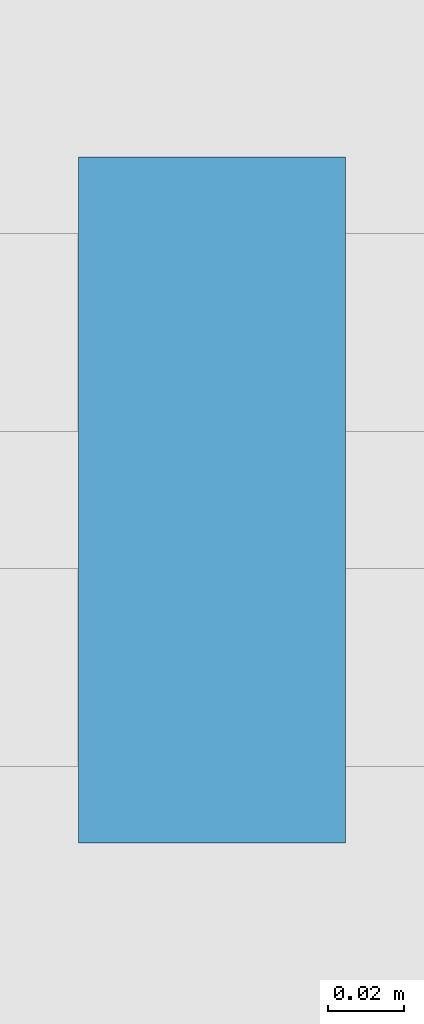
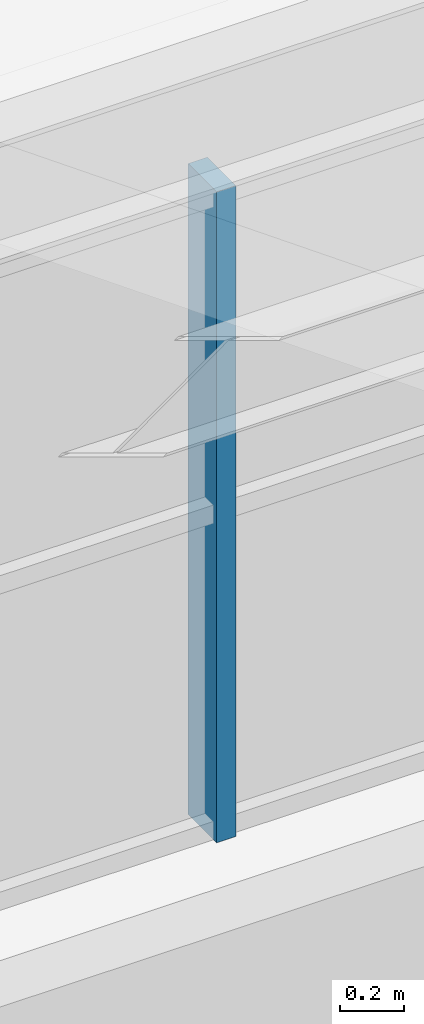
# One storey, part 52 of 92: 1 member, 1 element without a shape of its own.
"""IFC4 building model written with IfcOpenShell, lengths in metres."""

from ifc_helpers import new_model, si_unit, direction, frame, origin, origin_2d, place, context, subcontext, project, spatial, rectangle, extrude, material, material_profile, profile_set, type_object, element, aggregate, save


model = new_model("IFC4")

# Units and contexts
model_context = context("Model", 3, precision=1e-05, world=origin(), true_north=direction((0.0, 1.0)))
body_context = subcontext(model_context, "Body", "Model", "MODEL_VIEW")
ifc_project = project(units=[si_unit("LENGTHUNIT", "METRE"), si_unit("AREAUNIT", "SQUARE_METRE"), si_unit("VOLUMEUNIT", "CUBIC_METRE"), si_unit("PLANEANGLEUNIT", "RADIAN"), si_unit("MASSUNIT", "GRAM", prefix="KILO")], contexts=[model_context])

# Site, building, storey
site_placement = place(None, origin())
site = spatial("IfcSite", under=ifc_project, at=site_placement, CompositionType="ELEMENT")
building_placement = place(site_placement, origin())
building = spatial("IfcBuilding", under=site, at=building_placement, Name="Ciguamira Faculty of Natural Sciences", CompositionType="ELEMENT")
storey_placement = place(building_placement, frame((0.0, 0.0, 16.800048828125)))
storey = spatial("IfcBuildingStorey", under=building, at=storey_placement, Name="L04", CompositionType="ELEMENT", Elevation=16.800048828125)

# Curtain wall, member
ifc_material_1 = material(Name="Anodized aluminium curtain wall", Category="aluminium")
curtain_wall_type = type_object("IfcCurtainWallType", Name="CurtainWall_CW-08", PredefinedType="USERDEFINED", material=ifc_material_1)
curtain_wall_placement = place(storey_placement, origin())
curtain_wall = element("IfcCurtainWall", 1, at=curtain_wall_placement, inside=storey, type_object=curtain_wall_type, Name="V4 north-light wave 6 clerestory glazing 1", ObjectType="UNITISED CURTAIN WALL", PredefinedType="USERDEFINED")
ifc_material_2 = material(Name="Anodized aluminium mullion", Category="aluminium")
ifc_material_profile = material_profile(ifc_material_2, rectangle(XDim=0.070068359375, YDim=0.179931640625, at=origin_2d()), Name="ALU-MUL-70X180")
ifc_profile_set = profile_set([ifc_material_profile], Name="Anodized aluminium mullion")
member_type = type_object("IfcMemberType", Name="CWMullion_CWM-02", PredefinedType="MULLION", material=ifc_profile_set)
member_placement = place(storey_placement, frame((88.08154296875, 87.0, 0.25), z_axis=(0.0, 0.0, 1.0), x_axis=(1.0, 0.0, 0.0)))
member = element("IfcMember", 2, at=member_placement, type_object=member_type, Name="CW-08 mullion 15", PredefinedType="MULLION", context=body_context, shape_type="SweptSolid", body=[
    extrude(rectangle(XDim=0.070068359375, YDim=0.179931640625, at=origin_2d()), origin(), (0.0, 0.0, 1.0), 2.5),
])
aggregate(curtain_wall, [member])

save(model, "model.ifc")
